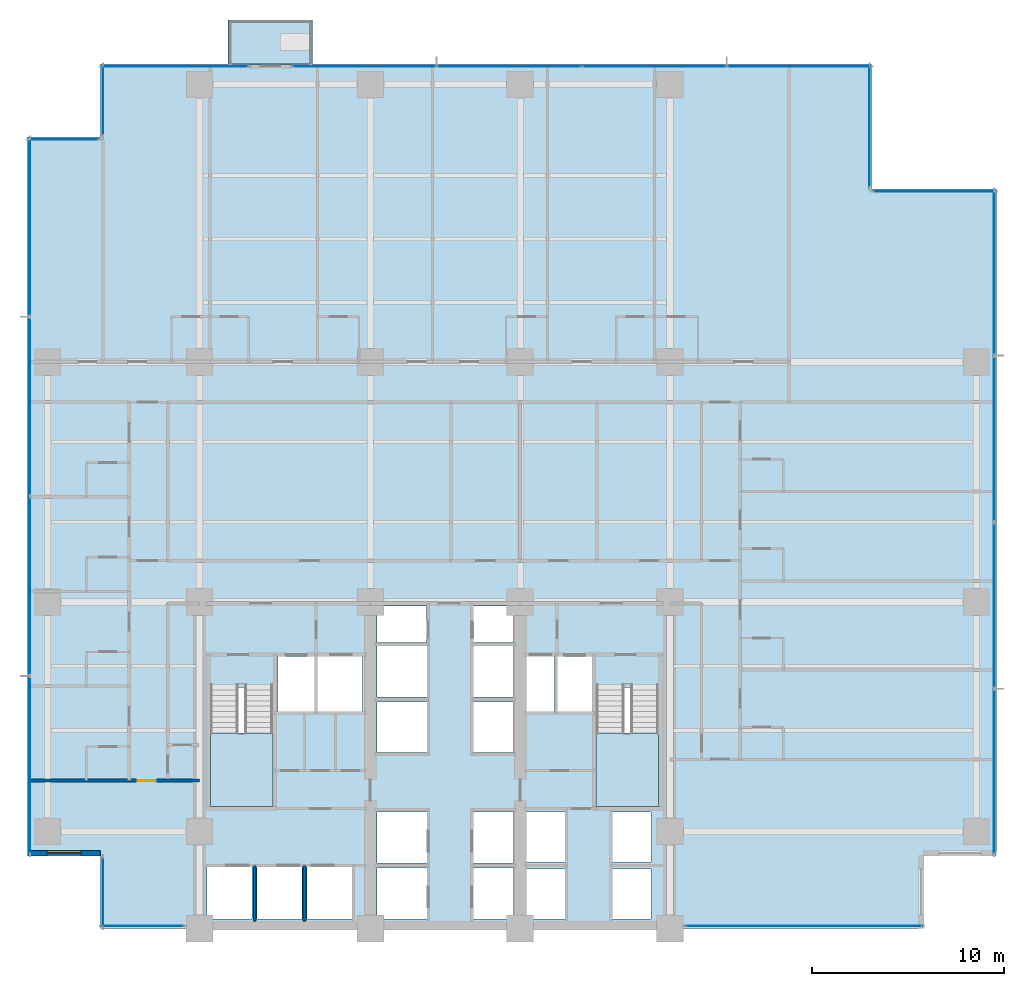
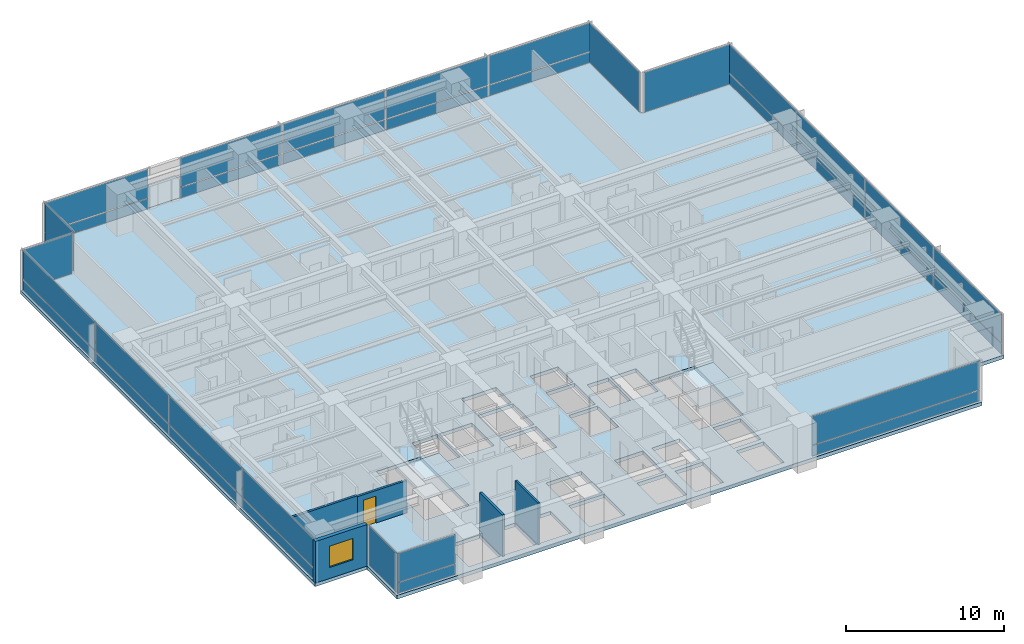
# One storey, part 6 of 16: 35 plates, 5 walls, 4 slabs, 1 door, 1 window, 2 openings, 13 elements without a shape of their own.
"""IFC4 building model written with IfcOpenShell, lengths in metres."""

from ifc_helpers import new_model, si_unit, direction, frame, frame_2d, origin, origin_2d, place, context, subcontext, project, spatial, polyline, rectangle, outline, extrude, material, layer, layer_set, type_object, element, fill, aggregate, save


model = new_model("IFC4")

# Units and contexts
model_context = context("Model", 3, precision=1e-05, world=origin(), true_north=direction((0.0, 1.0)))
body_context = subcontext(model_context, "Body", "Model", "MODEL_VIEW")
ifc_project = project(units=[si_unit("LENGTHUNIT", "METRE"), si_unit("AREAUNIT", "SQUARE_METRE"), si_unit("VOLUMEUNIT", "CUBIC_METRE"), si_unit("PLANEANGLEUNIT", "RADIAN"), si_unit("MASSUNIT", "GRAM", prefix="KILO")], contexts=[model_context])

# Site, building, storey
site_placement = place(None, origin())
site = spatial("IfcSite", under=ifc_project, at=site_placement, CompositionType="ELEMENT")
building_placement = place(site_placement, origin())
building = spatial("IfcBuilding", under=site, at=building_placement, Name="Qalmaran Belvedere Hotel", CompositionType="ELEMENT")
storey_placement = place(building_placement, frame((0.0, 0.0, 57.89990234375)))
storey = spatial("IfcBuildingStorey", under=building, at=storey_placement, Name="L14", CompositionType="ELEMENT", Elevation=57.89990234375)

# Curtain wall, plate
ifc_material_1 = material(Name="Anodised Bronze Aluminium", Category="aluminium")
ifc_layer_1 = layer(ifc_material_1, 0.2099609375, Name="Anodised Bronze Aluminium")
ifc_layer_set_1 = layer_set([ifc_layer_1], Name="Anodised Bronze Aluminium")
curtain_wall_type = type_object("IfcCurtainWallType", Name="CW2-TOWER-LOWER", PredefinedType="NOTDEFINED", material=ifc_layer_set_1)
curtain_wall_1_placement = place(storey_placement, origin())
curtain_wall_1 = element("IfcCurtainWall", 1, at=curtain_wall_1_placement, inside=storey, type_object=curtain_wall_type, Name="L14 Curtain Wall CW2", PredefinedType="NOTDEFINED")
ifc_material_2 = material(Name="Anodised Bronze Spandrel Panel")
ifc_layer_2 = layer(ifc_material_2, 0.035888671875, Name="Anodised Bronze Spandrel Panel")
ifc_layer_set_2 = layer_set([ifc_layer_2], Name="Anodised Bronze Spandrel Panel")
plate_type_1 = type_object("IfcPlateType", Name="CWP-SPANDREL-36", PredefinedType="CURTAIN_PANEL", material=ifc_layer_set_2)
plate_1_placement = place(storey_placement, frame((17.35498046875, 3.6201171875, 0.0703125), z_axis=(0.0, 0.0, 1.0), x_axis=(1.0, 0.0, 0.0)))
plate_1 = element("IfcPlate", 2, at=plate_1_placement, type_object=plate_type_1, Name="CW2 panel 1.1", PredefinedType="CURTAIN_PANEL", context=body_context, shape_type="SweptSolid", body=[
    extrude(rectangle(XDim=4.260009765625, YDim=0.035888671875, at=origin_2d()), origin(), (0.0, 0.0, 1.0), 0.796630859375),
])

curtain_wall_2_placement = place(storey_placement, origin())
curtain_wall_2 = element("IfcCurtainWall", 3, at=curtain_wall_2_placement, inside=storey, type_object=curtain_wall_type, Name="L14 Curtain Wall CW2", PredefinedType="NOTDEFINED")
plate_2_placement = place(storey_placement, frame((51.77001953125, 3.6201171875, 0.0703125), z_axis=(0.0, 0.0, 1.0), x_axis=(1.0, 0.0, 0.0)))
plate_2 = element("IfcPlate", 4, at=plate_2_placement, type_object=plate_type_1, Name="CW2 panel 1.1", PredefinedType="CURTAIN_PANEL", context=body_context, shape_type="SweptSolid", body=[
    extrude(rectangle(XDim=12.31005859375, YDim=0.035888671875, at=origin_2d()), origin(), (0.0, 0.0, 1.0), 0.796630859375),
])

# Curtain wall, plates
curtain_wall_3_placement = place(storey_placement, origin())
curtain_wall_3 = element("IfcCurtainWall", 5, at=curtain_wall_3_placement, inside=storey, type_object=curtain_wall_type, Name="L14 Curtain Wall CW2", PredefinedType="NOTDEFINED")
plate_3_placement = place(storey_placement, frame((61.679931640625, 11.65625, 0.0703125), z_axis=(0.0, 0.0, 1.0), x_axis=(0.0, 1.0, 0.0)))
plate_3 = element("IfcPlate", 6, at=plate_3_placement, type_object=plate_type_1, Name="CW2 panel 1.1", PredefinedType="CURTAIN_PANEL", context=body_context, shape_type="SweptSolid", body=[
    extrude(rectangle(XDim=8.5625, YDim=0.035888671875, at=origin_2d()), origin(), (0.0, 0.0, 1.0), 0.796630859375),
])
plate_4_placement = place(storey_placement, frame((61.679931640625, 20.3125, 0.0703125), z_axis=(0.0, 0.0, 1.0), x_axis=(0.0, 1.0, 0.0)))
plate_4 = element("IfcPlate", 7, at=plate_4_placement, type_object=plate_type_1, Name="CW2 panel 2.1", PredefinedType="CURTAIN_PANEL", context=body_context, shape_type="SweptSolid", body=[
    extrude(rectangle(XDim=8.60009765625, YDim=0.035888671875, at=origin_2d()), origin(), (0.0, 0.0, 1.0), 0.796630859375),
])
plate_5_placement = place(storey_placement, frame((61.679931640625, 28.987548828125, 0.0703125), z_axis=(0.0, 0.0, 1.0), x_axis=(0.0, 1.0, 0.0)))
plate_5 = element("IfcPlate", 8, at=plate_5_placement, type_object=plate_type_1, Name="CW2 panel 3.1", PredefinedType="CURTAIN_PANEL", context=body_context, shape_type="SweptSolid", body=[
    extrude(rectangle(XDim=8.60009765625, YDim=0.035888671875, at=origin_2d()), origin(), (0.0, 0.0, 1.0), 0.796630859375),
])
plate_6_placement = place(storey_placement, frame((61.679931640625, 37.643798828125, 0.0703125), z_axis=(0.0, 0.0, 1.0), x_axis=(0.0, 1.0, 0.0)))
plate_6 = element("IfcPlate", 9, at=plate_6_placement, type_object=plate_type_1, Name="CW2 panel 4.1", PredefinedType="CURTAIN_PANEL", context=body_context, shape_type="SweptSolid", body=[
    extrude(rectangle(XDim=8.5625, YDim=0.035888671875, at=origin_2d()), origin(), (0.0, 0.0, 1.0), 0.796630859375),
])

# Curtain wall, plate
curtain_wall_4_placement = place(storey_placement, origin())
curtain_wall_4 = element("IfcCurtainWall", 10, at=curtain_wall_4_placement, inside=storey, type_object=curtain_wall_type, Name="L14 Curtain Wall CW2", PredefinedType="NOTDEFINED")
plate_7_placement = place(storey_placement, frame((19.02490234375, 48.3798828125, 0.0703125), z_axis=(0.0, 0.0, 1.0), x_axis=(-1.0, 0.0, 0.0)))
plate_7 = element("IfcPlate", 11, at=plate_7_placement, type_object=plate_type_1, Name="CW2 panel 1.1", PredefinedType="CURTAIN_PANEL", context=body_context, shape_type="SweptSolid", body=[
    extrude(rectangle(XDim=7.60009765625, YDim=0.035888671875, at=origin_2d()), origin(), (0.0, 0.0, 1.0), 0.796630859375),
])

# Curtain wall, plates
curtain_wall_5_placement = place(storey_placement, origin())
curtain_wall_5 = element("IfcCurtainWall", 12, at=curtain_wall_5_placement, inside=storey, type_object=curtain_wall_type, Name="L14 Curtain Wall CW2", PredefinedType="NOTDEFINED")
plate_8_placement = place(storey_placement, frame((51.50634765625, 48.3798828125, 0.0703125), z_axis=(0.0, 0.0, 1.0), x_axis=(-1.0, 0.0, 0.0)))
plate_8 = element("IfcPlate", 13, at=plate_8_placement, type_object=plate_type_1, Name="CW2 panel 1.1", PredefinedType="CURTAIN_PANEL", context=body_context, shape_type="SweptSolid", body=[
    extrude(rectangle(XDim=7.4375, YDim=0.035888671875, at=origin_2d()), origin(), (0.0, 0.0, 1.0), 0.796630859375),
])
plate_9_placement = place(storey_placement, frame((43.97509765625, 48.3798828125, 0.0703125), z_axis=(0.0, 0.0, 1.0), x_axis=(-1.0, 0.0, 0.0)))
plate_9 = element("IfcPlate", 14, at=plate_9_placement, type_object=plate_type_1, Name="CW2 panel 2.1", PredefinedType="CURTAIN_PANEL", context=body_context, shape_type="SweptSolid", body=[
    extrude(rectangle(XDim=7.47509765625, YDim=0.035888671875, at=origin_2d()), origin(), (0.0, 0.0, 1.0), 0.796630859375),
])
plate_10_placement = place(storey_placement, frame((36.425048828125, 48.3798828125, 0.0703125), z_axis=(0.0, 0.0, 1.0), x_axis=(-1.0, 0.0, 0.0)))
plate_10 = element("IfcPlate", 15, at=plate_10_placement, type_object=plate_type_1, Name="CW2 panel 3.1", PredefinedType="CURTAIN_PANEL", context=body_context, shape_type="SweptSolid", body=[
    extrude(rectangle(XDim=7.47509765625, YDim=0.035888671875, at=origin_2d()), origin(), (0.0, 0.0, 1.0), 0.796630859375),
])
plate_11_placement = place(storey_placement, frame((28.893798828125, 48.3798828125, 0.0703125), z_axis=(0.0, 0.0, 1.0), x_axis=(-1.0, 0.0, 0.0)))
plate_11 = element("IfcPlate", 16, at=plate_11_placement, type_object=plate_type_1, Name="CW2 panel 4.1", PredefinedType="CURTAIN_PANEL", context=body_context, shape_type="SweptSolid", body=[
    extrude(rectangle(XDim=7.4375, YDim=0.035888671875, at=origin_2d()), origin(), (0.0, 0.0, 1.0), 0.796630859375),
])

curtain_wall_6_placement = place(storey_placement, origin())
curtain_wall_6 = element("IfcCurtainWall", 17, at=curtain_wall_6_placement, inside=storey, type_object=curtain_wall_type, Name="L14 Curtain Wall CW2", PredefinedType="NOTDEFINED")
plate_12_placement = place(storey_placement, frame((11.469970703125, 40.00634765625, 0.0703125), z_axis=(0.0, 0.0, 1.0), x_axis=(0.0, -1.0, 0.0)))
plate_12 = element("IfcPlate", 18, at=plate_12_placement, type_object=plate_type_1, Name="CW2 panel 1.1", PredefinedType="CURTAIN_PANEL", context=body_context, shape_type="SweptSolid", body=[
    extrude(rectangle(XDim=9.237548828125, YDim=0.035888671875, at=origin_2d()), origin(), (0.0, 0.0, 1.0), 0.796630859375),
])
plate_13_placement = place(storey_placement, frame((11.469970703125, 30.675048828125, 0.0703125), z_axis=(0.0, 0.0, 1.0), x_axis=(0.0, -1.0, 0.0)))
plate_13 = element("IfcPlate", 19, at=plate_13_placement, type_object=plate_type_1, Name="CW2 panel 2.1", PredefinedType="CURTAIN_PANEL", context=body_context, shape_type="SweptSolid", body=[
    extrude(rectangle(XDim=9.27490234375, YDim=0.035888671875, at=origin_2d()), origin(), (0.0, 0.0, 1.0), 0.796630859375),
])
plate_14_placement = place(storey_placement, frame((11.469970703125, 21.324951171875, 0.0703125), z_axis=(0.0, 0.0, 1.0), x_axis=(0.0, -1.0, 0.0)))
plate_14 = element("IfcPlate", 20, at=plate_14_placement, type_object=plate_type_1, Name="CW2 panel 3.1", PredefinedType="CURTAIN_PANEL", context=body_context, shape_type="SweptSolid", body=[
    extrude(rectangle(XDim=9.27490234375, YDim=0.035888671875, at=origin_2d()), origin(), (0.0, 0.0, 1.0), 0.796630859375),
])
plate_15_placement = place(storey_placement, frame((11.469970703125, 11.99365234375, 0.0703125), z_axis=(0.0, 0.0, 1.0), x_axis=(0.0, -1.0, 0.0)))
plate_15 = element("IfcPlate", 21, at=plate_15_placement, type_object=plate_type_1, Name="CW2 panel 4.1", PredefinedType="CURTAIN_PANEL", context=body_context, shape_type="SweptSolid", body=[
    extrude(rectangle(XDim=9.237548828125, YDim=0.035888671875, at=origin_2d()), origin(), (0.0, 0.0, 1.0), 0.796630859375),
])

# Plate
ifc_material_3 = material(Name="Solar-Control Double Glazing", Category="glass")
ifc_layer_3 = layer(ifc_material_3, 0.028076171875, Name="Solar-Control Double Glazing")
ifc_layer_set_3 = layer_set([ifc_layer_3], Name="Solar-Control Double Glazing")
plate_type_2 = type_object("IfcPlateType", Name="CWP-VISION-28", PredefinedType="CURTAIN_PANEL", material=ifc_layer_set_3)
plate_16_placement = place(storey_placement, frame((17.35498046875, 3.6201171875, 0.936767578125), z_axis=(0.0, 0.0, 1.0), x_axis=(1.0, 0.0, 0.0)))
plate_16 = element("IfcPlate", 22, at=plate_16_placement, type_object=plate_type_2, Name="CW2 panel 1.2", PredefinedType="CURTAIN_PANEL", context=body_context, shape_type="SweptSolid", body=[
    extrude(rectangle(XDim=4.260009765625, YDim=0.028076171875, at=origin_2d()), origin(), (0.0, 0.0, 1.0), 2.21337890625),
])

aggregate(curtain_wall_1, [plate_1, plate_16])

plate_17_placement = place(storey_placement, frame((51.77001953125, 3.6201171875, 0.936767578125), z_axis=(0.0, 0.0, 1.0), x_axis=(1.0, 0.0, 0.0)))
plate_17 = element("IfcPlate", 23, at=plate_17_placement, type_object=plate_type_2, Name="CW2 panel 1.2", PredefinedType="CURTAIN_PANEL", context=body_context, shape_type="SweptSolid", body=[
    extrude(rectangle(XDim=12.31005859375, YDim=0.028076171875, at=origin_2d()), origin(), (0.0, 0.0, 1.0), 2.21337890625),
])

aggregate(curtain_wall_2, [plate_2, plate_17])

plate_18_placement = place(storey_placement, frame((61.679931640625, 11.65625, 0.936767578125), z_axis=(0.0, 0.0, 1.0), x_axis=(0.0, 1.0, 0.0)))
plate_18 = element("IfcPlate", 24, at=plate_18_placement, type_object=plate_type_2, Name="CW2 panel 1.2", PredefinedType="CURTAIN_PANEL", context=body_context, shape_type="SweptSolid", body=[
    extrude(rectangle(XDim=8.5625, YDim=0.028076171875, at=origin_2d()), origin(), (0.0, 0.0, 1.0), 2.21337890625),
])

plate_19_placement = place(storey_placement, frame((61.679931640625, 20.3125, 0.936767578125), z_axis=(0.0, 0.0, 1.0), x_axis=(0.0, 1.0, 0.0)))
plate_19 = element("IfcPlate", 25, at=plate_19_placement, type_object=plate_type_2, Name="CW2 panel 2.2", PredefinedType="CURTAIN_PANEL", context=body_context, shape_type="SweptSolid", body=[
    extrude(rectangle(XDim=8.60009765625, YDim=0.028076171875, at=origin_2d()), origin(), (0.0, 0.0, 1.0), 2.21337890625),
])

plate_20_placement = place(storey_placement, frame((61.679931640625, 28.987548828125, 0.936767578125), z_axis=(0.0, 0.0, 1.0), x_axis=(0.0, 1.0, 0.0)))
plate_20 = element("IfcPlate", 26, at=plate_20_placement, type_object=plate_type_2, Name="CW2 panel 3.2", PredefinedType="CURTAIN_PANEL", context=body_context, shape_type="SweptSolid", body=[
    extrude(rectangle(XDim=8.60009765625, YDim=0.028076171875, at=origin_2d()), origin(), (0.0, 0.0, 1.0), 2.21337890625),
])

plate_21_placement = place(storey_placement, frame((61.679931640625, 37.643798828125, 0.936767578125), z_axis=(0.0, 0.0, 1.0), x_axis=(0.0, 1.0, 0.0)))
plate_21 = element("IfcPlate", 27, at=plate_21_placement, type_object=plate_type_2, Name="CW2 panel 4.2", PredefinedType="CURTAIN_PANEL", context=body_context, shape_type="SweptSolid", body=[
    extrude(rectangle(XDim=8.5625, YDim=0.028076171875, at=origin_2d()), origin(), (0.0, 0.0, 1.0), 2.21337890625),
])

aggregate(curtain_wall_3, [plate_3, plate_18, plate_4, plate_19, plate_5, plate_20, plate_6, plate_21])

# Curtain wall, plate
curtain_wall_7_placement = place(storey_placement, origin())
curtain_wall_7 = element("IfcCurtainWall", 28, at=curtain_wall_7_placement, inside=storey, type_object=curtain_wall_type, Name="L14 Curtain Wall CW2", PredefinedType="NOTDEFINED")
plate_22_placement = place(storey_placement, frame((58.550048828125, 41.8798828125, 0.070068359375), z_axis=(0.0, 0.0, 1.0), x_axis=(-1.0, 0.0, 0.0)))
plate_22 = element("IfcPlate", 29, at=plate_22_placement, type_object=plate_type_2, Name="CW2 panel 1.1", PredefinedType="CURTAIN_PANEL", context=body_context, shape_type="SweptSolid", body=[
    extrude(rectangle(XDim=6.35009765625, YDim=0.028076171875, at=origin_2d()), origin(), (0.0, 0.0, 1.0), 3.080078125),
])
aggregate(curtain_wall_7, [plate_22])

curtain_wall_8_placement = place(storey_placement, origin())
curtain_wall_8 = element("IfcCurtainWall", 30, at=curtain_wall_8_placement, inside=storey, type_object=curtain_wall_type, Name="L14 Curtain Wall CW2", PredefinedType="NOTDEFINED")
plate_23_placement = place(storey_placement, frame((55.179931640625, 45.25, 0.070068359375), z_axis=(0.0, 0.0, 1.0), x_axis=(0.0, 1.0, 0.0)))
plate_23 = element("IfcPlate", 31, at=plate_23_placement, type_object=plate_type_2, Name="CW2 panel 1.1", PredefinedType="CURTAIN_PANEL", context=body_context, shape_type="SweptSolid", body=[
    extrude(rectangle(XDim=6.35009765625, YDim=0.028076171875, at=origin_2d()), origin(), (0.0, 0.0, 1.0), 3.080078125),
])
aggregate(curtain_wall_8, [plate_23])

# Plate
plate_24_placement = place(storey_placement, frame((19.02490234375, 48.3798828125, 0.936767578125), z_axis=(0.0, 0.0, 1.0), x_axis=(-1.0, 0.0, 0.0)))
plate_24 = element("IfcPlate", 32, at=plate_24_placement, type_object=plate_type_2, Name="CW2 panel 1.2", PredefinedType="CURTAIN_PANEL", context=body_context, shape_type="SweptSolid", body=[
    extrude(rectangle(XDim=7.60009765625, YDim=0.028076171875, at=origin_2d()), origin(), (0.0, 0.0, 1.0), 2.21337890625),
])

aggregate(curtain_wall_4, [plate_7, plate_24])

plate_25_placement = place(storey_placement, frame((51.50634765625, 48.3798828125, 0.936767578125), z_axis=(0.0, 0.0, 1.0), x_axis=(-1.0, 0.0, 0.0)))
plate_25 = element("IfcPlate", 33, at=plate_25_placement, type_object=plate_type_2, Name="CW2 panel 1.2", PredefinedType="CURTAIN_PANEL", context=body_context, shape_type="SweptSolid", body=[
    extrude(rectangle(XDim=7.4375, YDim=0.028076171875, at=origin_2d()), origin(), (0.0, 0.0, 1.0), 2.21337890625),
])

plate_26_placement = place(storey_placement, frame((43.97509765625, 48.3798828125, 0.936767578125), z_axis=(0.0, 0.0, 1.0), x_axis=(-1.0, 0.0, 0.0)))
plate_26 = element("IfcPlate", 34, at=plate_26_placement, type_object=plate_type_2, Name="CW2 panel 2.2", PredefinedType="CURTAIN_PANEL", context=body_context, shape_type="SweptSolid", body=[
    extrude(rectangle(XDim=7.47509765625, YDim=0.028076171875, at=origin_2d()), origin(), (0.0, 0.0, 1.0), 2.21337890625),
])

plate_27_placement = place(storey_placement, frame((36.425048828125, 48.3798828125, 0.936767578125), z_axis=(0.0, 0.0, 1.0), x_axis=(-1.0, 0.0, 0.0)))
plate_27 = element("IfcPlate", 35, at=plate_27_placement, type_object=plate_type_2, Name="CW2 panel 3.2", PredefinedType="CURTAIN_PANEL", context=body_context, shape_type="SweptSolid", body=[
    extrude(rectangle(XDim=7.47509765625, YDim=0.028076171875, at=origin_2d()), origin(), (0.0, 0.0, 1.0), 2.21337890625),
])

plate_28_placement = place(storey_placement, frame((28.893798828125, 48.3798828125, 0.936767578125), z_axis=(0.0, 0.0, 1.0), x_axis=(-1.0, 0.0, 0.0)))
plate_28 = element("IfcPlate", 36, at=plate_28_placement, type_object=plate_type_2, Name="CW2 panel 4.2", PredefinedType="CURTAIN_PANEL", context=body_context, shape_type="SweptSolid", body=[
    extrude(rectangle(XDim=7.4375, YDim=0.028076171875, at=origin_2d()), origin(), (0.0, 0.0, 1.0), 2.21337890625),
])

aggregate(curtain_wall_5, [plate_8, plate_25, plate_9, plate_26, plate_10, plate_27, plate_11, plate_28])

# Curtain wall, plate
curtain_wall_9_placement = place(storey_placement, origin())
curtain_wall_9 = element("IfcCurtainWall", 37, at=curtain_wall_9_placement, inside=storey, type_object=curtain_wall_type, Name="L14 Curtain Wall CW2", PredefinedType="NOTDEFINED")
plate_29_placement = place(storey_placement, frame((15.27001953125, 46.60009765625, 0.070068359375), z_axis=(0.0, 0.0, 1.0), x_axis=(0.0, -1.0, 0.0)))
plate_29 = element("IfcPlate", 38, at=plate_29_placement, type_object=plate_type_2, Name="CW2 panel 1.1", PredefinedType="CURTAIN_PANEL", context=body_context, shape_type="SweptSolid", body=[
    extrude(rectangle(XDim=3.64990234375, YDim=0.028076171875, at=origin_2d()), origin(), (0.0, 0.0, 1.0), 3.080078125),
])
aggregate(curtain_wall_9, [plate_29])

curtain_wall_10_placement = place(storey_placement, origin())
curtain_wall_10 = element("IfcCurtainWall", 39, at=curtain_wall_10_placement, inside=storey, type_object=curtain_wall_type, Name="L14 Curtain Wall CW2", PredefinedType="NOTDEFINED")
plate_30_placement = place(storey_placement, frame((13.25, 44.580078125, 0.070068359375), z_axis=(0.0, 0.0, 1.0), x_axis=(-1.0, 0.0, 0.0)))
plate_30 = element("IfcPlate", 40, at=plate_30_placement, type_object=plate_type_2, Name="CW2 panel 1.1", PredefinedType="CURTAIN_PANEL", context=body_context, shape_type="SweptSolid", body=[
    extrude(rectangle(XDim=3.64990234375, YDim=0.028076171875, at=origin_2d()), origin(), (0.0, 0.0, 1.0), 3.080078125),
])
aggregate(curtain_wall_10, [plate_30])

# Plate
plate_31_placement = place(storey_placement, frame((11.469970703125, 40.00634765625, 0.936767578125), z_axis=(0.0, 0.0, 1.0), x_axis=(0.0, -1.0, 0.0)))
plate_31 = element("IfcPlate", 41, at=plate_31_placement, type_object=plate_type_2, Name="CW2 panel 1.2", PredefinedType="CURTAIN_PANEL", context=body_context, shape_type="SweptSolid", body=[
    extrude(rectangle(XDim=9.237548828125, YDim=0.028076171875, at=origin_2d()), origin(), (0.0, 0.0, 1.0), 2.21337890625),
])

plate_32_placement = place(storey_placement, frame((11.469970703125, 30.675048828125, 0.936767578125), z_axis=(0.0, 0.0, 1.0), x_axis=(0.0, -1.0, 0.0)))
plate_32 = element("IfcPlate", 42, at=plate_32_placement, type_object=plate_type_2, Name="CW2 panel 2.2", PredefinedType="CURTAIN_PANEL", context=body_context, shape_type="SweptSolid", body=[
    extrude(rectangle(XDim=9.27490234375, YDim=0.028076171875, at=origin_2d()), origin(), (0.0, 0.0, 1.0), 2.21337890625),
])

plate_33_placement = place(storey_placement, frame((11.469970703125, 21.324951171875, 0.936767578125), z_axis=(0.0, 0.0, 1.0), x_axis=(0.0, -1.0, 0.0)))
plate_33 = element("IfcPlate", 43, at=plate_33_placement, type_object=plate_type_2, Name="CW2 panel 3.2", PredefinedType="CURTAIN_PANEL", context=body_context, shape_type="SweptSolid", body=[
    extrude(rectangle(XDim=9.27490234375, YDim=0.028076171875, at=origin_2d()), origin(), (0.0, 0.0, 1.0), 2.21337890625),
])

plate_34_placement = place(storey_placement, frame((11.469970703125, 11.99365234375, 0.936767578125), z_axis=(0.0, 0.0, 1.0), x_axis=(0.0, -1.0, 0.0)))
plate_34 = element("IfcPlate", 44, at=plate_34_placement, type_object=plate_type_2, Name="CW2 panel 4.2", PredefinedType="CURTAIN_PANEL", context=body_context, shape_type="SweptSolid", body=[
    extrude(rectangle(XDim=9.237548828125, YDim=0.028076171875, at=origin_2d()), origin(), (0.0, 0.0, 1.0), 2.21337890625),
])

aggregate(curtain_wall_6, [plate_12, plate_31, plate_13, plate_32, plate_14, plate_33, plate_15, plate_34])

# Curtain wall, plate
curtain_wall_11_placement = place(storey_placement, origin())
curtain_wall_11 = element("IfcCurtainWall", 45, at=curtain_wall_11_placement, inside=storey, type_object=curtain_wall_type, Name="L14 Curtain Wall CW2", PredefinedType="NOTDEFINED")
plate_35_placement = place(storey_placement, frame((15.27001953125, 5.39990234375, 0.070068359375), z_axis=(0.0, 0.0, 1.0), x_axis=(0.0, -1.0, 0.0)))
plate_35 = element("IfcPlate", 46, at=plate_35_placement, type_object=plate_type_2, Name="CW2 panel 1.1", PredefinedType="CURTAIN_PANEL", context=body_context, shape_type="SweptSolid", body=[
    extrude(rectangle(XDim=3.64990234375, YDim=0.028076171875, at=origin_2d()), origin(), (0.0, 0.0, 1.0), 3.080078125),
])
aggregate(curtain_wall_11, [plate_35])

# Slab
ifc_material_4 = material(Name="Concrete C40/50", Category="concrete")
ifc_layer_4 = layer(ifc_material_4, 0.219970703125, Name="Concrete C40/50")
ifc_layer_set_4 = layer_set([ifc_layer_4], Name="Concrete C40/50")
slab_type_1 = type_object("IfcSlabType", Name="SLB-BAL-220", PredefinedType="USERDEFINED", material=ifc_layer_set_4)
slab_1_placement = place(storey_placement, frame((0.0, 0.0, -0.219970703125)))
element("IfcSlab", 47, at=slab_1_placement, inside=storey, type_object=slab_type_1, Name="L14 Planted Tree Balcony Slab 1", ObjectType="BALCONY", PredefinedType="USERDEFINED", context=body_context, shape_type="SweptSolid", body=[
    extrude(outline(polyline([(21.800048828125, 48.5), (26.199951171875, 48.5), (26.199951171875, 50.800048828125), (21.800048828125, 50.800048828125), (21.800048828125, 48.5)])), origin(), (0.0, 0.0, 1.0), 0.219970703125),
])

# Stair, slab
stair_type_1 = type_object("IfcStairType", Name="STR-ST-1-1450-R1750", PredefinedType="HALF_TURN_STAIR", material=ifc_material_4)
stair_1_placement = place(storey_placement, origin())
stair_1 = element("IfcStair", 48, at=stair_1_placement, inside=storey, type_object=stair_type_1, Name="L14 West Core Exit Stair ST-1", PredefinedType="HALF_TURN_STAIR")
ifc_layer_5 = layer(ifc_material_4, 0.199951171875, Name="Concrete C40/50")
ifc_layer_set_5 = layer_set([ifc_layer_5], Name="Concrete C40/50")
slab_type_2 = type_object("IfcSlabType", Name="SLB-STAIR-LANDING-200", PredefinedType="LANDING", material=ifc_layer_set_5)
slab_2_placement = place(storey_placement, frame((0.0, 0.0, 1.550048828125)))
slab_2 = element("IfcSlab", 49, at=slab_2_placement, type_object=slab_type_2, Name="ST-1 landing 1", PredefinedType="LANDING", context=body_context, shape_type="SweptSolid", body=[
    extrude(outline(polyline([(20.8798828125, 13.669921875), (20.8798828125, 9.85009765625), (24.1201171875, 9.85009765625), (24.1201171875, 13.669921875), (20.8798828125, 13.669921875)])), origin(), (0.0, 0.0, 1.0), 0.199951171875),
])
aggregate(stair_1, [slab_2])

stair_type_2 = type_object("IfcStairType", Name="STR-ST-2-1450-R1750", PredefinedType="HALF_TURN_STAIR", material=ifc_material_4)
stair_2_placement = place(storey_placement, origin())
stair_2 = element("IfcStair", 50, at=stair_2_placement, inside=storey, type_object=stair_type_2, Name="L14 East Core Exit Stair ST-2", PredefinedType="HALF_TURN_STAIR")
slab_3_placement = place(storey_placement, frame((0.0, 0.0, 1.550048828125)))
slab_3 = element("IfcSlab", 51, at=slab_3_placement, type_object=slab_type_2, Name="ST-2 landing 1", PredefinedType="LANDING", context=body_context, shape_type="SweptSolid", body=[
    extrude(outline(polyline([(40.9599609375, 13.669921875), (40.9599609375, 9.85009765625), (44.199951171875, 9.85009765625), (44.199951171875, 13.669921875), (40.9599609375, 13.669921875)])), origin(), (0.0, 0.0, 1.0), 0.199951171875),
])
aggregate(stair_2, [slab_3])

# Slab
ifc_layer_6 = layer(ifc_material_4, 0.280029296875, Name="Concrete C40/50")
ifc_layer_set_6 = layer_set([ifc_layer_6], Name="Concrete C40/50")
slab_type_3 = type_object("IfcSlabType", Name="SLB-Z1-280", PredefinedType="FLOOR", material=ifc_layer_set_6)
slab_4_placement = place(storey_placement, frame((0.0, 0.0, -0.27978515625)))
element("IfcSlab", 52, at=slab_4_placement, inside=storey, type_object=slab_type_3, Name="L14 Structural Floor Slab", PredefinedType="FLOOR", context=body_context, shape_type="SweptSolid", body=[
    extrude(outline(polyline([(15.14990234375, 3.5), (58.0, 3.5), (58.0, 7.300048828125), (61.800048828125, 7.300048828125), (61.800048828125, 42.0), (55.300048828125, 42.0), (55.300048828125, 48.5), (15.14990234375, 48.5), (15.14990234375, 44.699951171875), (11.35009765625, 44.699951171875), (11.35009765625, 7.300048828125), (15.14990234375, 7.300048828125), (15.14990234375, 3.5)]), holes=[polyline([(20.8798828125, 9.85009765625), (24.1201171875, 9.85009765625), (24.1201171875, 16.0400390625), (20.8798828125, 16.0400390625), (20.8798828125, 9.85009765625)]), polyline([(40.9599609375, 9.85009765625), (44.199951171875, 9.85009765625), (44.199951171875, 16.0400390625), (40.9599609375, 16.0400390625), (40.9599609375, 9.85009765625)]), polyline([(29.544921875, 4.0), (32.14990234375, 4.0), (32.14990234375, 6.64990234375), (29.544921875, 6.64990234375), (29.544921875, 4.0)]), polyline([(29.544921875, 6.89990234375), (32.14990234375, 6.89990234375), (32.14990234375, 9.550048828125), (29.544921875, 9.550048828125), (29.544921875, 6.89990234375)]), polyline([(34.550048828125, 4.0), (36.655029296875, 4.0), (36.655029296875, 6.64990234375), (34.550048828125, 6.64990234375), (34.550048828125, 4.0)]), polyline([(34.550048828125, 6.89990234375), (36.655029296875, 6.89990234375), (36.655029296875, 9.550048828125), (34.550048828125, 9.550048828125), (34.550048828125, 6.89990234375)]), polyline([(29.544921875, 12.64990234375), (32.14990234375, 12.64990234375), (32.14990234375, 15.300048828125), (29.544921875, 15.300048828125), (29.544921875, 12.64990234375)]), polyline([(29.544921875, 15.550048828125), (32.14990234375, 15.550048828125), (32.14990234375, 18.199951171875), (29.544921875, 18.199951171875), (29.544921875, 15.550048828125)]), polyline([(34.550048828125, 12.64990234375), (36.655029296875, 12.64990234375), (36.655029296875, 15.300048828125), (34.550048828125, 15.300048828125), (34.550048828125, 12.64990234375)]), polyline([(34.550048828125, 15.550048828125), (36.655029296875, 15.550048828125), (36.655029296875, 18.199951171875), (34.550048828125, 18.199951171875), (34.550048828125, 15.550048828125)]), polyline([(37.300048828125, 4.0), (39.35009765625, 4.0), (39.35009765625, 6.60009765625), (37.300048828125, 6.60009765625), (37.300048828125, 4.0)]), polyline([(37.300048828125, 6.949951171875), (39.35009765625, 6.949951171875), (39.35009765625, 9.550048828125), (37.300048828125, 9.550048828125), (37.300048828125, 6.949951171875)]), polyline([(41.800048828125, 4.0), (43.800048828125, 4.0), (43.800048828125, 6.60009765625), (41.800048828125, 6.60009765625), (41.800048828125, 4.0)]), polyline([(41.800048828125, 6.949951171875), (43.800048828125, 6.949951171875), (43.800048828125, 9.550048828125), (41.800048828125, 9.550048828125), (41.800048828125, 6.949951171875)]), polyline([(20.699951171875, 4.0), (23.050048828125, 4.0), (23.050048828125, 6.699951171875), (20.699951171875, 6.699951171875), (20.699951171875, 4.0)]), polyline([(23.300048828125, 4.0), (25.64990234375, 4.0), (25.64990234375, 6.699951171875), (23.300048828125, 6.699951171875), (23.300048828125, 4.0)]), polyline([(25.89990234375, 4.0), (28.25, 4.0), (28.25, 6.699951171875), (25.89990234375, 6.699951171875), (25.89990234375, 4.0)]), polyline([(24.39990234375, 14.800048828125), (26.300048828125, 14.800048828125), (26.300048828125, 17.64990234375), (24.39990234375, 17.64990234375), (24.39990234375, 14.800048828125)]), polyline([(38.949951171875, 14.800048828125), (40.820068359375, 14.800048828125), (40.820068359375, 17.64990234375), (38.949951171875, 17.64990234375), (38.949951171875, 14.800048828125)]), polyline([(26.449951171875, 14.800048828125), (28.800048828125, 14.800048828125), (28.800048828125, 17.64990234375), (26.449951171875, 17.64990234375), (26.449951171875, 14.800048828125)]), polyline([(37.25, 14.800048828125), (38.800048828125, 14.800048828125), (38.800048828125, 17.64990234375), (37.25, 17.64990234375), (37.25, 14.800048828125)]), polyline([(29.544921875, 18.3798828125), (32.1201171875, 18.3798828125), (32.1201171875, 20.300048828125), (29.544921875, 20.300048828125), (29.544921875, 18.3798828125)]), polyline([(34.580078125, 18.3798828125), (36.655029296875, 18.3798828125), (36.655029296875, 20.300048828125), (34.580078125, 20.300048828125), (34.580078125, 18.3798828125)])]), origin(), (0.0, 0.0, 1.0), 0.27978515625),
])

# Wall, opening, window
ifc_material_5 = material(Name="Anodised Bronze Cladding")
ifc_layer_7 = layer(ifc_material_5, 0.280029296875, Name="Anodised Bronze Cladding")
ifc_layer_set_7 = layer_set([ifc_layer_7], Name="Anodised Bronze Cladding")
wall_type_1 = type_object("IfcWallType", Name="WL-EXT-BRNZ-280", PredefinedType="SOLIDWALL", material=ifc_layer_set_7)
wall_1_placement = place(storey_placement, frame((11.35009765625, 7.419921875, 0.0), z_axis=(0.0, 0.0, 1.0), x_axis=(1.0, 0.0, 0.0)))
wall_1 = element("IfcWall", 53, at=wall_1_placement, inside=storey, type_object=wall_type_1, Name="L14 Corner Notch Wall 10", PredefinedType="SOLIDWALL", context=body_context, shape_type="SweptSolid", body=[
    extrude(rectangle(XDim=3.7998046875, YDim=0.280029296875, at=frame_2d((1.89990234375, 0.0))), origin(), (0.0, 0.0, 1.0), 3.22021484375),
])
opening_1_placement = place(wall_1_placement, frame((1.02490234375, 0.0, 0.85009765625)))
opening_1 = element("IfcOpeningElement", 54, at=opening_1_placement, cuts=wall_1, Name="Opening W-N17", PredefinedType="OPENING", context=body_context, shape_type="SweptSolid", body=[
    extrude(rectangle(XDim=1.75, YDim=1.64990234375, at=frame_2d((0.875, 0.824951171875))), frame((0.0, 0.14990234375, 0.0), z_axis=(0.0, -1.0, 0.0), x_axis=(1.0, 0.0, 0.0)), (0.0, 0.0, 1.0), 0.300048828125),
])
window_type = type_object("IfcWindowType", Name="WN-NTC-1750X1650", PartitioningType="SINGLE_PANEL", PredefinedType="WINDOW", material=ifc_material_3)
window_placement = place(opening_1_placement, origin())
window = element("IfcWindow", 55, at=window_placement, inside=storey, type_object=window_type, Name="L14 Corner Notch Window 10", OverallHeight=1.64990234375, OverallWidth=1.75, PartitioningType="SINGLE_PANEL", PredefinedType="WINDOW", context=body_context, shape_type="SweptSolid", body=[
    extrude(rectangle(XDim=1.75, YDim=1.64990234375, at=frame_2d((0.875, 0.824951171875))), frame((0.0, 0.030029296875, 0.0), z_axis=(0.0, -1.0, 0.0), x_axis=(1.0, 0.0, 0.0)), (0.0, 0.0, 1.0), 0.06005859375),
])
fill(opening_1, window)

# Walls
ifc_material_6 = material(Name="Gypsum Stud Partition")
ifc_layer_8 = layer(ifc_material_6, 0.14990234375, Name="Gypsum Stud Partition")
ifc_layer_set_8 = layer_set([ifc_layer_8], Name="Gypsum Stud Partition")
wall_type_2 = type_object("IfcWallType", Name="WL-INT-150-EI120", PredefinedType="PARTITIONING", material=ifc_layer_set_8)
for number, where, z_axis, x_axis, name in (
    (56, (23.179931640625, 3.89990234375, 0.0), (0.0, 0.0, 1.0), (0.0, 1.0, 0.0), "L14 Partition WL-POM1-L14"),
    (57, (25.780029296875, 3.89990234375, 0.0), (0.0, 0.0, 1.0), (0.0, 1.0, 0.0), "L14 Partition WL-POM2-L14"),
):
    element("IfcWall", number, at=place(storey_placement, frame(where, z_axis=z_axis, x_axis=x_axis)), inside=storey, type_object=wall_type_2, Name=name, PredefinedType="PARTITIONING", context=body_context, shape_type="SweptSolid", body=[
        extrude(rectangle(XDim=2.880126953125, YDim=0.14990234375, at=frame_2d((1.43994140625, 0.0))), origin(), (0.0, 0.0, 1.0), 3.22021484375),
    ])

# Wall, opening, door
ifc_layer_9 = layer(ifc_material_6, 0.159912109375, Name="Gypsum Stud Partition")
ifc_layer_set_9 = layer_set([ifc_layer_9], Name="Gypsum Stud Partition")
wall_type_3 = type_object("IfcWallType", Name="WL-INT-160-EI60", PredefinedType="PARTITIONING", material=ifc_layer_set_9)
wall_2_placement = place(storey_placement, frame((16.64990234375, 11.199951171875, 0.0), z_axis=(0.0, 0.0, 1.0), x_axis=(1.0, 0.0, 0.0)))
wall_2 = element("IfcWall", 58, at=wall_2_placement, inside=storey, type_object=wall_type_3, Name="L14 Partition WL-L14-SWRL", PredefinedType="PARTITIONING", context=body_context, shape_type="SweptSolid", body=[
    extrude(rectangle(XDim=3.650146484375, YDim=0.159912109375, at=frame_2d((1.8251953125, 0.0))), origin(), (0.0, 0.0, 1.0), 2.510009765625),
])
opening_2_placement = place(wall_2_placement, frame((1.369873046875, 0.0, 0.0), z_axis=(0.0, 0.0, 1.0), x_axis=(-1.0, 0.0, 0.0)))
opening_2 = element("IfcOpeningElement", 59, at=opening_2_placement, cuts=wall_2, Name="Opening FD60S1", PredefinedType="OPENING", context=body_context, shape_type="SweptSolid", body=[
    extrude(rectangle(XDim=0.919921875, YDim=2.080078125, at=frame_2d((0.4599609375, 1.0400390625))), frame((0.0, 0.08984375, 0.0), z_axis=(0.0, -1.0, 0.0), x_axis=(1.0, 0.0, 0.0)), (0.0, 0.0, 1.0), 0.179931640625),
])
ifc_material_7 = material(Name="Engineered Oak Veneer")
door_type = type_object("IfcDoorType", Name="DR-FD60S-920X2080", OperationType="NOTDEFINED", PredefinedType="DOOR", material=ifc_material_7)
door_placement = place(opening_2_placement, origin())
door = element("IfcDoor", 60, at=door_placement, inside=storey, type_object=door_type, Name="L14 SW Lounge Door", OperationType="SINGLE_SWING_LEFT", OverallHeight=2.080078125, OverallWidth=0.919921875, PredefinedType="DOOR", context=body_context, shape_type="SweptSolid", body=[
    extrude(rectangle(XDim=0.919921875, YDim=2.080078125, at=frame_2d((0.4599609375, 1.0400390625))), frame((0.0, 0.02490234375, 0.0), z_axis=(0.0, -1.0, 0.0), x_axis=(1.0, 0.0, 0.0)), (0.0, 0.0, 1.0), 0.050048828125),
])
fill(opening_2, door)

# Wall
wall_3_placement = place(storey_placement, frame((11.469970703125, 11.199951171875, 0.0), z_axis=(0.0, 0.0, 1.0), x_axis=(1.0, 0.0, 0.0)))
element("IfcWall", 61, at=wall_3_placement, inside=storey, type_object=wall_type_3, Name="L14 Partition WL-L14-WBOT", PredefinedType="PARTITIONING", context=body_context, shape_type="SweptSolid", body=[
    extrude(rectangle(XDim=5.179931640625, YDim=0.159912109375, at=frame_2d((2.58984375, 0.0))), origin(), (0.0, 0.0, 1.0), 2.5830078125),
])

save(model, "model.ifc")
